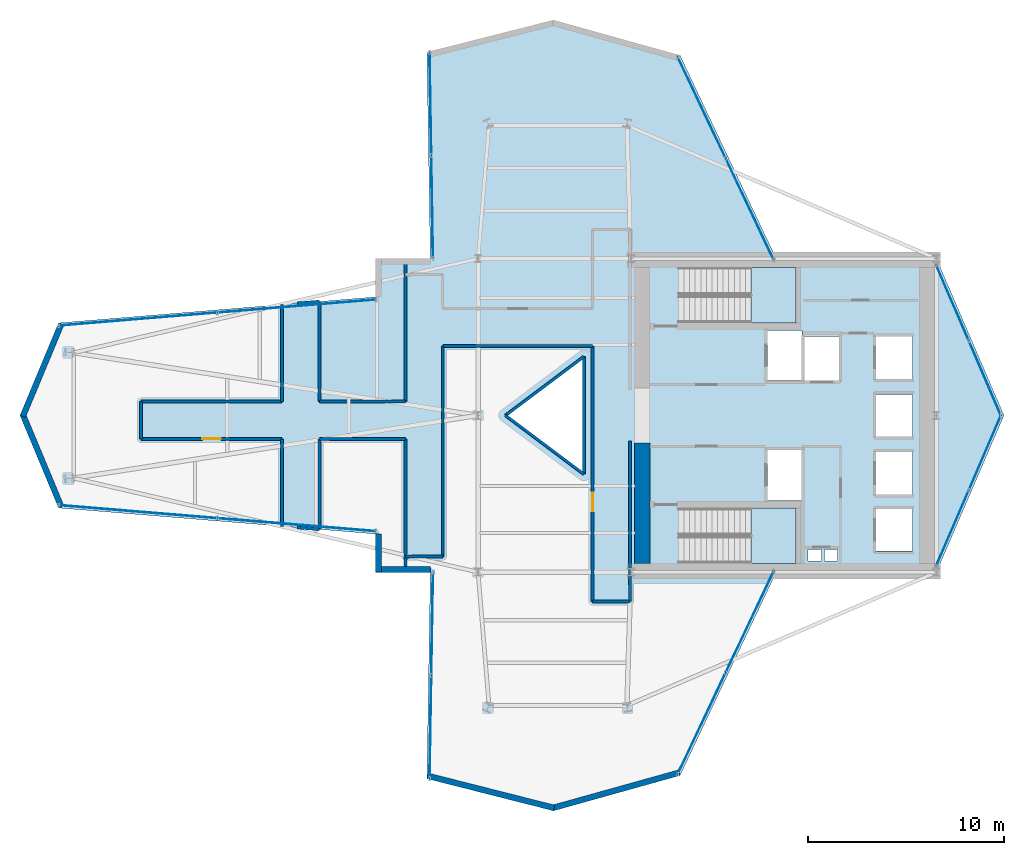
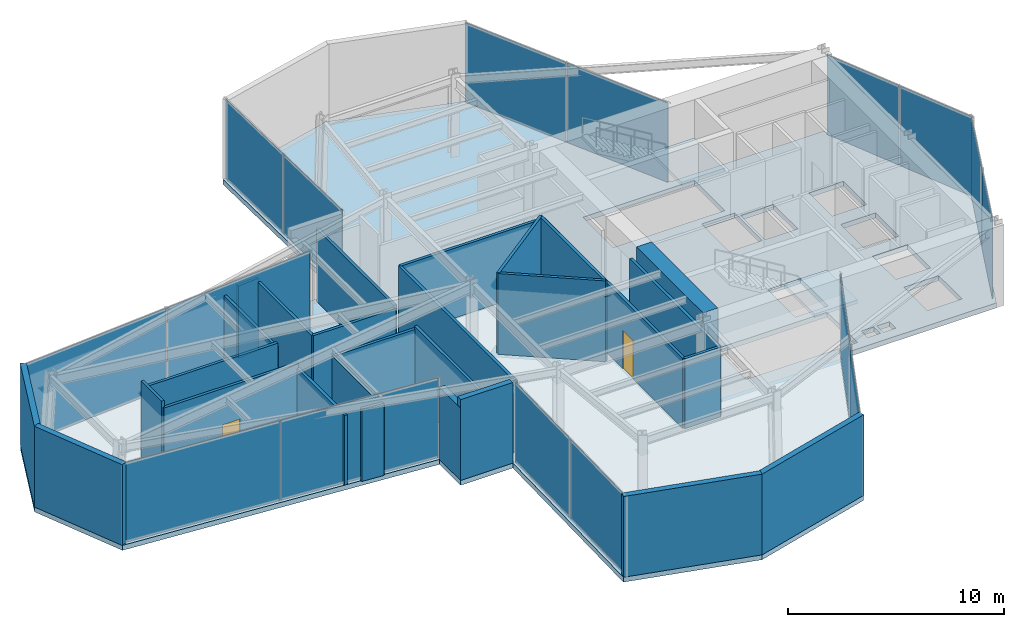
# One storey, part 9 of 13: 29 walls, 16 plates, 3 slabs, 2 doors, 2 openings, 10 elements without a shape of their own.
"""IFC4 building model written with IfcOpenShell, lengths in metres."""

from ifc_helpers import new_model, si_unit, direction, frame, frame_2d, origin, origin_2d, place, context, subcontext, project, spatial, polyline, rectangle, outline, extrude, material, layer, layer_set, type_object, element, fill, aggregate, save


model = new_model("IFC4")

# Units and contexts
model_context = context("Model", 3, precision=1e-05, world=origin(), true_north=direction((0.0, 1.0)))
body_context = subcontext(model_context, "Body", "Model", "MODEL_VIEW")
ifc_project = project(units=[si_unit("LENGTHUNIT", "METRE"), si_unit("AREAUNIT", "SQUARE_METRE"), si_unit("VOLUMEUNIT", "CUBIC_METRE"), si_unit("PLANEANGLEUNIT", "RADIAN"), si_unit("MASSUNIT", "GRAM", prefix="KILO")], contexts=[model_context])

# Site, building, storey
site_placement = place(None, origin())
site = spatial("IfcSite", under=ifc_project, at=site_placement, CompositionType="ELEMENT")
building_placement = place(site_placement, origin())
building = spatial("IfcBuilding", under=site, at=building_placement, Name="Veymaron Broadcast Tower", CompositionType="ELEMENT")
storey_placement = place(building_placement, frame((0.0, 0.0, 112.050048828125)))
storey = spatial("IfcBuildingStorey", under=building, at=storey_placement, Name="L25", CompositionType="ELEMENT", Elevation=112.050048828125)

# Curtain wall, plates
ifc_material_1 = material(Name="Anodised aluminium AA 6063-T6 and laminated low-E dark glass", Category="aluminium")
ifc_layer_1 = layer(ifc_material_1, 0.179931640625)
ifc_layer_set_1 = layer_set([ifc_layer_1], Name="Anodised aluminium AA 6063-T6 and laminated low-E dark glass")
curtain_wall_type = type_object("IfcCurtainWallType", Name="CW-SYS-04", PredefinedType="NOTDEFINED", material=ifc_layer_set_1)
curtain_wall_1_placement = place(storey_placement, origin())
curtain_wall_1 = element("IfcCurtainWall", 1, at=curtain_wall_1_placement, inside=storey, type_object=curtain_wall_type, Name="L25 dark-glass curtain wall CW-L25-E2-1", PredefinedType="NOTDEFINED")
ifc_material_2 = material(Name="Triple-laminated solar-control dark glass IGU 36 mm", Category="glass")
ifc_layer_2 = layer(ifc_material_2, 0.035888671875)
ifc_layer_set_2 = layer_set([ifc_layer_2], Name="Triple-laminated solar-control dark glass IGU 36 mm")
plate_type = type_object("IfcPlateType", Name="CW-PNL-01", PredefinedType="CURTAIN_PANEL", material=ifc_layer_set_2)
plate_1_placement = place(storey_placement, frame((55.413818359375, 18.244384765625, 0.0400390625), z_axis=(0.0, 0.0, 1.0), x_axis=(0.395417259401, 0.918501600961, 0.0)))
plate_1 = element("IfcPlate", 2, at=plate_1_placement, type_object=plate_type, Name="CW-L25-E2-1 unitised curtain panel 0", PredefinedType="CURTAIN_PANEL", context=body_context, shape_type="SweptSolid", body=[
    extrude(rectangle(XDim=4.15771484375, YDim=0.035888671875, at=origin_2d()), origin(), (0.0, 0.0, 1.0), 4.47998046875),
])
plate_2_placement = place(storey_placement, frame((57.08154296875, 22.118408203125, 0.0400390625), z_axis=(0.0, 0.0, 1.0), x_axis=(0.395417259401, 0.918501600961, 0.0)))
plate_2 = element("IfcPlate", 3, at=plate_2_placement, type_object=plate_type, Name="CW-L25-E2-1 unitised curtain panel 1", PredefinedType="CURTAIN_PANEL", context=body_context, shape_type="SweptSolid", body=[
    extrude(rectangle(XDim=4.15771484375, YDim=0.035888671875, at=origin_2d()), origin(), (0.0, 0.0, 1.0), 4.47998046875),
])
aggregate(curtain_wall_1, [plate_1, plate_2])

curtain_wall_2_placement = place(storey_placement, origin())
curtain_wall_2 = element("IfcCurtainWall", 4, at=curtain_wall_2_placement, inside=storey, type_object=curtain_wall_type, Name="L25 dark-glass curtain wall CW-L25-E3-1", PredefinedType="NOTDEFINED")
plate_3_placement = place(storey_placement, frame((57.08154296875, 25.881591796875, 0.0400390625), z_axis=(0.0, 0.0, 1.0), x_axis=(-0.395417259401, 0.918501600961, 0.0)))
plate_3 = element("IfcPlate", 5, at=plate_3_placement, type_object=plate_type, Name="CW-L25-E3-1 unitised curtain panel 0", PredefinedType="CURTAIN_PANEL", context=body_context, shape_type="SweptSolid", body=[
    extrude(rectangle(XDim=4.15771484375, YDim=0.035888671875, at=origin_2d()), origin(), (0.0, 0.0, 1.0), 4.47998046875),
])
plate_4_placement = place(storey_placement, frame((55.413818359375, 29.755615234375, 0.0400390625), z_axis=(0.0, 0.0, 1.0), x_axis=(-0.395417259401, 0.918501600961, 0.0)))
plate_4 = element("IfcPlate", 6, at=plate_4_placement, type_object=plate_type, Name="CW-L25-E3-1 unitised curtain panel 1", PredefinedType="CURTAIN_PANEL", context=body_context, shape_type="SweptSolid", body=[
    extrude(rectangle(XDim=4.15771484375, YDim=0.035888671875, at=origin_2d()), origin(), (0.0, 0.0, 1.0), 4.47998046875),
])
aggregate(curtain_wall_2, [plate_3, plate_4])

curtain_wall_3_placement = place(storey_placement, origin())
curtain_wall_3 = element("IfcCurtainWall", 7, at=curtain_wall_3_placement, inside=storey, type_object=curtain_wall_type, Name="L25 dark-glass curtain wall CW-L25-E5-1", PredefinedType="NOTDEFINED")
plate_5_placement = place(storey_placement, frame((45.068603515625, 34.531982421875, 0.0400390625), z_axis=(0.0, 0.0, 1.0), x_axis=(-0.427689198236, 0.903925854101, 0.0)))
plate_5 = element("IfcPlate", 8, at=plate_5_placement, type_object=plate_type, Name="CW-L25-E5-1 unitised curtain panel 0", PredefinedType="CURTAIN_PANEL", context=body_context, shape_type="SweptSolid", body=[
    extrude(rectangle(XDim=5.675048828125, YDim=0.035888671875, at=origin_2d()), origin(), (0.0, 0.0, 1.0), 4.47998046875),
])
plate_6_placement = place(storey_placement, frame((42.61572265625, 39.716064453125, 0.0400390625), z_axis=(0.0, 0.0, 1.0), x_axis=(-0.427689198236, 0.903925854101, 0.0)))
plate_6 = element("IfcPlate", 9, at=plate_6_placement, type_object=plate_type, Name="CW-L25-E5-1 unitised curtain panel 1", PredefinedType="CURTAIN_PANEL", context=body_context, shape_type="SweptSolid", body=[
    extrude(rectangle(XDim=5.675048828125, YDim=0.035888671875, at=origin_2d()), origin(), (0.0, 0.0, 1.0), 4.47998046875),
])
aggregate(curtain_wall_3, [plate_5, plate_6])

curtain_wall_4_placement = place(storey_placement, origin())
curtain_wall_4 = element("IfcCurtainWall", 10, at=curtain_wall_4_placement, inside=storey, type_object=curtain_wall_type, Name="L25 dark-glass curtain wall CW-L25-E8-1", PredefinedType="NOTDEFINED")
plate_7_placement = place(storey_placement, frame((28.771728515625, 39.9013671875, 0.0400390625), z_axis=(0.0, 0.0, 1.0), x_axis=(0.016579868188, -0.999862544538, 0.0)))
plate_7 = element("IfcPlate", 11, at=plate_7_placement, type_object=plate_type, Name="CW-L25-E8-1 unitised curtain panel 0", PredefinedType="CURTAIN_PANEL", context=body_context, shape_type="SweptSolid", body=[
    extrude(rectangle(XDim=5.206787109375, YDim=0.035888671875, at=origin_2d()), origin(), (0.0, 0.0, 1.0), 4.47998046875),
])
plate_8_placement = place(storey_placement, frame((28.85888671875, 34.63525390625, 0.0400390625), z_axis=(0.0, 0.0, 1.0), x_axis=(0.016579868188, -0.999862544538, 0.0)))
plate_8 = element("IfcPlate", 12, at=plate_8_placement, type_object=plate_type, Name="CW-L25-E8-1 unitised curtain panel 1", PredefinedType="CURTAIN_PANEL", context=body_context, shape_type="SweptSolid", body=[
    extrude(rectangle(XDim=5.206787109375, YDim=0.035888671875, at=origin_2d()), origin(), (0.0, 0.0, 1.0), 4.47998046875),
])
aggregate(curtain_wall_4, [plate_7, plate_8])

curtain_wall_5_placement = place(storey_placement, origin())
curtain_wall_5 = element("IfcCurtainWall", 13, at=curtain_wall_5_placement, inside=storey, type_object=curtain_wall_type, Name="L25 dark-glass curtain wall CW-L25-E11-1", PredefinedType="NOTDEFINED")
plate_9_placement = place(storey_placement, frame((21.943603515625, 29.579833984375, 0.0400390625), z_axis=(0.0, 0.0, 1.0), x_axis=(-0.996648817877, -0.081799351001, 0.0)))
plate_9 = element("IfcPlate", 14, at=plate_9_placement, type_object=plate_type, Name="CW-L25-E11-1 unitised curtain panel 0", PredefinedType="CURTAIN_PANEL", context=body_context, shape_type="SweptSolid", body=[
    extrude(rectangle(XDim=8.05517578125, YDim=0.035888671875, at=origin_2d()), origin(), (0.0, 0.0, 1.0), 4.47998046875),
])
plate_10_placement = place(storey_placement, frame((13.85546875, 28.916015625, 0.0400390625), z_axis=(0.0, 0.0, 1.0), x_axis=(-0.996648817877, -0.081799351001, 0.0)))
plate_10 = element("IfcPlate", 15, at=plate_10_placement, type_object=plate_type, Name="CW-L25-E11-1 unitised curtain panel 1", PredefinedType="CURTAIN_PANEL", context=body_context, shape_type="SweptSolid", body=[
    extrude(rectangle(XDim=8.05517578125, YDim=0.035888671875, at=origin_2d()), origin(), (0.0, 0.0, 1.0), 4.47998046875),
])
aggregate(curtain_wall_5, [plate_9, plate_10])

curtain_wall_6_placement = place(storey_placement, origin())
curtain_wall_6 = element("IfcCurtainWall", 16, at=curtain_wall_6_placement, inside=storey, type_object=curtain_wall_type, Name="L25 dark-glass curtain wall CW-L25-E14-1", PredefinedType="NOTDEFINED")
plate_11_placement = place(storey_placement, frame((13.85546875, 19.083984375, 0.0400390625), z_axis=(0.0, 0.0, 1.0), x_axis=(0.996648817877, -0.081799351001, 0.0)))
plate_11 = element("IfcPlate", 17, at=plate_11_placement, type_object=plate_type, Name="CW-L25-E14-1 unitised curtain panel 0", PredefinedType="CURTAIN_PANEL", context=body_context, shape_type="SweptSolid", body=[
    extrude(rectangle(XDim=8.05517578125, YDim=0.035888671875, at=origin_2d()), origin(), (0.0, 0.0, 1.0), 4.47998046875),
])
plate_12_placement = place(storey_placement, frame((21.943603515625, 18.420166015625, 0.0400390625), z_axis=(0.0, 0.0, 1.0), x_axis=(0.996648817877, -0.081799351001, 0.0)))
plate_12 = element("IfcPlate", 18, at=plate_12_placement, type_object=plate_type, Name="CW-L25-E14-1 unitised curtain panel 1", PredefinedType="CURTAIN_PANEL", context=body_context, shape_type="SweptSolid", body=[
    extrude(rectangle(XDim=8.05517578125, YDim=0.035888671875, at=origin_2d()), origin(), (0.0, 0.0, 1.0), 4.47998046875),
])
aggregate(curtain_wall_6, [plate_11, plate_12])

curtain_wall_7_placement = place(storey_placement, origin())
curtain_wall_7 = element("IfcCurtainWall", 19, at=curtain_wall_7_placement, inside=storey, type_object=curtain_wall_type, Name="L25 dark-glass curtain wall CW-L25-E17-1", PredefinedType="NOTDEFINED")
plate_13_placement = place(storey_placement, frame((28.85888671875, 13.36474609375, 0.0400390625), z_axis=(0.0, 0.0, 1.0), x_axis=(-0.016579868188, -0.999862544538, 0.0)))
plate_13 = element("IfcPlate", 20, at=plate_13_placement, type_object=plate_type, Name="CW-L25-E17-1 unitised curtain panel 0", PredefinedType="CURTAIN_PANEL", context=body_context, shape_type="SweptSolid", body=[
    extrude(rectangle(XDim=5.206787109375, YDim=0.035888671875, at=origin_2d()), origin(), (0.0, 0.0, 1.0), 4.47998046875),
])
plate_14_placement = place(storey_placement, frame((28.771728515625, 8.0986328125, 0.0400390625), z_axis=(0.0, 0.0, 1.0), x_axis=(-0.016579868188, -0.999862544538, 0.0)))
plate_14 = element("IfcPlate", 21, at=plate_14_placement, type_object=plate_type, Name="CW-L25-E17-1 unitised curtain panel 1", PredefinedType="CURTAIN_PANEL", context=body_context, shape_type="SweptSolid", body=[
    extrude(rectangle(XDim=5.206787109375, YDim=0.035888671875, at=origin_2d()), origin(), (0.0, 0.0, 1.0), 4.47998046875),
])
aggregate(curtain_wall_7, [plate_13, plate_14])

curtain_wall_8_placement = place(storey_placement, origin())
curtain_wall_8 = element("IfcCurtainWall", 22, at=curtain_wall_8_placement, inside=storey, type_object=curtain_wall_type, Name="L25 dark-glass curtain wall CW-L25-E20-1", PredefinedType="NOTDEFINED")
plate_15_placement = place(storey_placement, frame((42.61572265625, 8.283935546875, 0.0400390625), z_axis=(0.0, 0.0, 1.0), x_axis=(0.427689198236, 0.903925854101, 0.0)))
plate_15 = element("IfcPlate", 23, at=plate_15_placement, type_object=plate_type, Name="CW-L25-E20-1 unitised curtain panel 0", PredefinedType="CURTAIN_PANEL", context=body_context, shape_type="SweptSolid", body=[
    extrude(rectangle(XDim=5.675048828125, YDim=0.035888671875, at=origin_2d()), origin(), (0.0, 0.0, 1.0), 4.47998046875),
])
plate_16_placement = place(storey_placement, frame((45.068603515625, 13.468017578125, 0.0400390625), z_axis=(0.0, 0.0, 1.0), x_axis=(0.427689198236, 0.903925854101, 0.0)))
plate_16 = element("IfcPlate", 24, at=plate_16_placement, type_object=plate_type, Name="CW-L25-E20-1 unitised curtain panel 1", PredefinedType="CURTAIN_PANEL", context=body_context, shape_type="SweptSolid", body=[
    extrude(rectangle(XDim=5.675048828125, YDim=0.035888671875, at=origin_2d()), origin(), (0.0, 0.0, 1.0), 4.47998046875),
])
aggregate(curtain_wall_8, [plate_15, plate_16])

# Slab
ifc_material_3 = material(Name="Concrete C40/50", Category="concrete")
ifc_layer_3 = layer(ifc_material_3, 0.280029296875)
ifc_layer_set_3 = layer_set([ifc_layer_3], Name="Concrete C40/50")
slab_type_1 = type_object("IfcSlabType", Name="SLAB-FS3", PredefinedType="FLOOR", material=ifc_layer_set_3)
slab_1_placement = place(storey_placement, frame((0.0, 0.0, -0.280029296875)))
element("IfcSlab", 25, at=slab_1_placement, inside=storey, type_object=slab_type_1, Name="L25 structural floor slab", PredefinedType="FLOOR", context=body_context, shape_type="SweptSolid", body=[
    extrude(outline(polyline([(46.42138671875, 16.0), (54.60009765625, 16.0), (58.0439453125, 24.0), (54.60009765625, 32.0), (46.42138671875, 32.0), (41.51611328125, 42.367919921875), (35.052001953125, 44.172119140625), (28.587890625, 42.531982421875), (28.7626953125, 32.0), (25.97607421875, 32.0), (25.97607421875, 30.05126953125), (9.800048828125, 28.7236328125), (7.83203125, 24.0), (9.800048828125, 19.2763671875), (25.97607421875, 17.94873046875), (25.97607421875, 16.0), (28.7626953125, 16.0), (28.587890625, 5.468017578125), (35.052001953125, 3.827880859375), (41.51611328125, 5.632080078125), (46.42138671875, 16.0)]), holes=[polyline([(45.969970703125, 28.330078125), (47.72998046875, 28.330078125), (47.72998046875, 25.77001953125), (45.969970703125, 25.77001953125), (45.969970703125, 28.330078125)]), polyline([(45.969970703125, 22.22998046875), (47.72998046875, 22.22998046875), (47.72998046875, 19.669921875), (45.969970703125, 19.669921875), (45.969970703125, 22.22998046875)]), polyline([(47.8701171875, 28.030029296875), (49.6298828125, 28.030029296875), (49.6298828125, 25.77001953125), (47.8701171875, 25.77001953125), (47.8701171875, 28.030029296875)]), polyline([(51.52001953125, 28.030029296875), (53.3798828125, 28.030029296875), (53.3798828125, 25.8701171875), (51.52001953125, 25.8701171875), (51.52001953125, 28.030029296875)]), polyline([(51.52001953125, 22.1298828125), (53.3798828125, 22.1298828125), (53.3798828125, 19.969970703125), (51.52001953125, 19.969970703125), (51.52001953125, 22.1298828125)]), polyline([(51.52001953125, 25.080078125), (53.3798828125, 25.080078125), (53.3798828125, 22.919921875), (51.52001953125, 22.919921875), (51.52001953125, 25.080078125)]), polyline([(51.52001953125, 19.22998046875), (53.3798828125, 19.22998046875), (53.3798828125, 17.070068359375), (51.52001953125, 17.070068359375), (51.52001953125, 19.22998046875)]), polyline([(48.050048828125, 17.159912109375), (48.719970703125, 17.159912109375), (48.719970703125, 16.56005859375), (48.050048828125, 16.56005859375), (48.050048828125, 17.159912109375)]), polyline([(48.8798828125, 17.159912109375), (49.550048828125, 17.159912109375), (49.550048828125, 16.56005859375), (48.8798828125, 16.56005859375), (48.8798828125, 17.159912109375)]), polyline([(36.60009765625, 27.0), (36.60009765625, 21.0), (32.60009765625, 24.0), (36.60009765625, 27.0)]), polyline([(41.489990234375, 31.550048828125), (47.43994140625, 31.550048828125), (47.43994140625, 28.72998046875), (41.489990234375, 28.72998046875), (41.489990234375, 31.550048828125)]), polyline([(41.489990234375, 19.27001953125), (47.43994140625, 19.27001953125), (47.43994140625, 16.449951171875), (41.489990234375, 16.449951171875), (41.489990234375, 19.27001953125)])]), origin(), (0.0, 0.0, 1.0), 0.280029296875),
])

# Stair, slab
ifc_material_4 = material(Name="Concrete C50/60", Category="concrete")
stair_type_1 = type_object("IfcStairType", Name="STAIR-CORE-1", PredefinedType="HALF_TURN_STAIR", material=ifc_material_4)
stair_1_placement = place(storey_placement, origin())
stair_1 = element("IfcStair", 26, at=stair_1_placement, inside=storey, type_object=stair_type_1, Name="L25 North protected dog-leg exit stair ST1", PredefinedType="HALF_TURN_STAIR")
ifc_layer_4 = layer(ifc_material_4, 0.199951171875)
ifc_layer_set_4 = layer_set([ifc_layer_4], Name="Concrete C50/60")
slab_type_2 = type_object("IfcSlabType", Name="SLAB-STAIR-LDG", PredefinedType="LANDING", material=ifc_layer_set_4)
slab_2_placement = place(storey_placement, frame((0.0, 0.0, 2.199951171875)))
slab_2 = element("IfcSlab", 27, at=slab_2_placement, type_object=slab_type_2, Name="ST1 landing 1", PredefinedType="LANDING", context=body_context, shape_type="SweptSolid", body=[
    extrude(outline(polyline([(45.135009765625, 28.72998046875), (47.43994140625, 28.72998046875), (47.43994140625, 31.550048828125), (45.135009765625, 31.550048828125), (45.135009765625, 28.72998046875)])), origin(), (0.0, 0.0, 1.0), 0.199951171875),
])
aggregate(stair_1, [slab_2])

stair_type_2 = type_object("IfcStairType", Name="STAIR-CORE-2", PredefinedType="HALF_TURN_STAIR", material=ifc_material_4)
stair_2_placement = place(storey_placement, origin())
stair_2 = element("IfcStair", 28, at=stair_2_placement, inside=storey, type_object=stair_type_2, Name="L25 South protected dog-leg exit stair ST2", PredefinedType="HALF_TURN_STAIR")
slab_3_placement = place(storey_placement, frame((0.0, 0.0, 2.199951171875)))
slab_3 = element("IfcSlab", 29, at=slab_3_placement, type_object=slab_type_2, Name="ST2 landing 1", PredefinedType="LANDING", context=body_context, shape_type="SweptSolid", body=[
    extrude(outline(polyline([(45.135009765625, 16.449951171875), (47.43994140625, 16.449951171875), (47.43994140625, 19.27001953125), (45.135009765625, 19.27001953125), (45.135009765625, 16.449951171875)])), origin(), (0.0, 0.0, 1.0), 0.199951171875),
])
aggregate(stair_2, [slab_3])

# Walls
ifc_material_5 = material(Name="Precast concrete C40/50 with mineral-wool insulation", Category="concrete")
ifc_layer_5 = layer(ifc_material_5, 0.300048828125)
ifc_layer_set_5 = layer_set([ifc_layer_5], Name="Precast concrete C40/50 with mineral-wool insulation")
wall_type_1 = type_object("IfcWallType", Name="WALL-EXT-300", PredefinedType="STANDARD", material=ifc_layer_set_5)
for number, where, z_axis, x_axis, name in (
    (30, (9.92919921875, 28.669921875, 0.0), (0.0, 0.0, 1.0), (-0.384588283054, -0.923088214927, 0.0), "L25 notched corner facade pier 12-1"),
    (31, (7.961181640625, 24.0537109375, 0.0), (0.0, 0.0, 1.0), (0.384588283054, -0.923088214927, 0.0), "L25 notched corner facade pier 13-1"),
):
    element("IfcWall", number, at=place(storey_placement, frame(where, z_axis=z_axis, x_axis=x_axis)), inside=storey, type_object=wall_type_1, Name=name, PredefinedType="STANDARD", context=body_context, shape_type="SweptSolid", body=[
        extrude(rectangle(XDim=5.1171875, YDim=0.300048828125, at=frame_2d((2.55859375, 0.0))), origin(), (0.0, 0.0, 1.0), 4.56005859375),
    ])
wall_1_placement = place(storey_placement, frame((26.115966796875, 17.94873046875, 0.0), z_axis=(0.0, 0.0, 1.0), x_axis=(0.0, -1.0, 0.0)))
element("IfcWall", 32, at=wall_1_placement, inside=storey, type_object=wall_type_1, Name="L25 notched corner facade pier 15-1", PredefinedType="STANDARD", context=body_context, shape_type="SweptSolid", body=[
    extrude(rectangle(XDim=1.94873046875, YDim=0.300048828125, at=frame_2d((0.974365234375, 0.0))), origin(), (0.0, 0.0, 1.0), 4.087890625),
])
wall_2_placement = place(storey_placement, frame((25.97607421875, 16.139892578125, 0.0), z_axis=(0.0, 0.0, 1.0), x_axis=(1.0, 0.0, 0.0)))
element("IfcWall", 33, at=wall_2_placement, inside=storey, type_object=wall_type_1, Name="L25 notched corner facade pier 16-1", PredefinedType="STANDARD", context=body_context, shape_type="SweptSolid", body=[
    extrude(rectangle(XDim=2.78662109375, YDim=0.300048828125, at=frame_2d((1.393310546875, 0.0))), origin(), (0.0, 0.0, 1.0), 4.56005859375),
])
wall_3_placement = place(storey_placement, frame((28.622314453125, 5.603759765625, 0.0), z_axis=(0.0, 0.0, 1.0), x_axis=(0.969285922057, -0.245936579838, 0.0)))
element("IfcWall", 34, at=wall_3_placement, inside=storey, type_object=wall_type_1, Name="L25 notched corner facade pier 18-1", PredefinedType="STANDARD", context=body_context, shape_type="SweptSolid", body=[
    extrude(rectangle(XDim=6.6689453125, YDim=0.300048828125, at=frame_2d((3.33447265625, 0.0))), origin(), (0.0, 0.0, 1.0), 4.56005859375),
])
wall_4_placement = place(storey_placement, frame((35.014404296875, 3.962890625, 0.0), z_axis=(0.0, 0.0, 1.0), x_axis=(0.963195644216, 0.268801322473, 0.0)))
element("IfcWall", 35, at=wall_4_placement, inside=storey, type_object=wall_type_1, Name="L25 notched corner facade pier 19-1", PredefinedType="STANDARD", context=body_context, shape_type="SweptSolid", body=[
    extrude(rectangle(XDim=6.711181640625, YDim=0.300048828125, at=frame_2d((3.35546875, 0.0))), origin(), (0.0, 0.0, 1.0), 4.56005859375),
])

# Wall, opening, door
ifc_material_6 = material(Name="Gypsum fireboard and steel stud framing", Category="steel")
ifc_layer_6 = layer(ifc_material_6, 0.14990234375)
ifc_layer_set_6 = layer_set([ifc_layer_6], Name="Gypsum fireboard and steel stud framing")
wall_type_2 = type_object("IfcWallType", Name="WALL-FIRE-150", PredefinedType="PARTITIONING", material=ifc_layer_set_6)
wall_5_placement = place(storey_placement, frame((37.050048828125, 14.5, 0.0), z_axis=(0.0, 0.0, 1.0), x_axis=(0.0, 1.0, 0.0)))
wall_5 = element("IfcWall", 36, at=wall_5_placement, inside=storey, type_object=wall_type_2, Name="L25 partition IW-L25-P01", PredefinedType="PARTITIONING", context=body_context, shape_type="SweptSolid", body=[
    extrude(rectangle(XDim=13.050048828125, YDim=0.14990234375, at=frame_2d((6.52490234375, 0.0))), origin(), (0.0, 0.0, 1.0), 3.93994140625),
])
opening_1_placement = place(wall_5_placement, frame((4.610107421875, 0.0, 0.0)))
opening_1 = element("IfcOpeningElement", 37, at=opening_1_placement, cuts=wall_5, Name="Opening ID-RM1", PredefinedType="OPENING", context=body_context, shape_type="SweptSolid", body=[
    extrude(rectangle(XDim=0.949951171875, YDim=2.14990234375, at=frame_2d((0.47509765625, 1.074951171875))), frame((0.0, 0.0849609375, 0.0), z_axis=(0.0, -1.0, 0.0), x_axis=(1.0, 0.0, 0.0)), (0.0, 0.0, 1.0), 0.169921875),
])
ifc_material_7 = material(Name="Acoustic solid-core European oak veneer timber", Category="wood")
door_type = type_object("IfcDoorType", Name="DOOR-INT-950", OperationType="NOTDEFINED", PredefinedType="DOOR", material=ifc_material_7)
door_1_placement = place(opening_1_placement, frame((0.949951171875, 0.0, 0.0), z_axis=(0.0, 0.0, 1.0), x_axis=(-1.0, 0.0, 0.0)))
door_1 = element("IfcDoor", 38, at=door_1_placement, inside=storey, type_object=door_type, Name="L25 door DR-L25-P01", OperationType="SINGLE_SWING_RIGHT", OverallHeight=2.14990234375, OverallWidth=0.949951171875, PredefinedType="DOOR", context=body_context, shape_type="SweptSolid", body=[
    extrude(rectangle(XDim=0.949951171875, YDim=2.14990234375, at=frame_2d((0.47509765625, 1.074951171875))), frame((0.0, 0.02490234375, 0.0), z_axis=(0.0, -1.0, 0.0), x_axis=(1.0, 0.0, 0.0)), (0.0, 0.0, 1.0), 0.050048828125),
])
fill(opening_1, door_1)

wall_6_placement = place(storey_placement, frame((14.0, 22.800048828125, 0.0), z_axis=(0.0, 0.0, 1.0), x_axis=(1.0, 0.0, 0.0)))
wall_6 = element("IfcWall", 39, at=wall_6_placement, inside=storey, type_object=wall_type_2, Name="L25 partition IW-L25-P11", PredefinedType="PARTITIONING", context=body_context, shape_type="SweptSolid", body=[
    extrude(rectangle(XDim=7.199951171875, YDim=0.14990234375, at=frame_2d((3.60009765625, 0.0))), origin(), (0.0, 0.0, 1.0), 4.19287109375),
])
opening_2_placement = place(wall_6_placement, frame((3.125, 0.0, 0.0)))
opening_2 = element("IfcOpeningElement", 40, at=opening_2_placement, cuts=wall_6, Name="Opening ID-RM1", PredefinedType="OPENING", context=body_context, shape_type="SweptSolid", body=[
    extrude(rectangle(XDim=0.949951171875, YDim=2.14990234375, at=frame_2d((0.47509765625, 1.074951171875))), frame((0.0, 0.0849609375, 0.0), z_axis=(0.0, -1.0, 0.0), x_axis=(1.0, 0.0, 0.0)), (0.0, 0.0, 1.0), 0.169921875),
])
door_2_placement = place(opening_2_placement, frame((0.949951171875, 0.0, 0.0), z_axis=(0.0, 0.0, 1.0), x_axis=(-1.0, 0.0, 0.0)))
door_2 = element("IfcDoor", 41, at=door_2_placement, inside=storey, type_object=door_type, Name="L25 door DR-L25-P11", OperationType="SINGLE_SWING_RIGHT", OverallHeight=2.14990234375, OverallWidth=0.949951171875, PredefinedType="DOOR", context=body_context, shape_type="SweptSolid", body=[
    extrude(rectangle(XDim=0.949951171875, YDim=2.14990234375, at=frame_2d((0.47509765625, 1.074951171875))), frame((0.0, 0.02490234375, 0.0), z_axis=(0.0, -1.0, 0.0), x_axis=(1.0, 0.0, 0.0)), (0.0, 0.0, 1.0), 0.050048828125),
])
fill(opening_2, door_2)

# Walls
wall_7_placement = place(storey_placement, frame((29.39990234375, 16.800048828125, 0.0), z_axis=(0.0, 0.0, 1.0), x_axis=(0.0, 1.0, 0.0)))
element("IfcWall", 42, at=wall_7_placement, inside=storey, type_object=wall_type_2, Name="L25 partition IW-L25-P02", PredefinedType="PARTITIONING", context=body_context, shape_type="SweptSolid", body=[
    extrude(rectangle(XDim=10.75, YDim=0.14990234375, at=frame_2d((5.375, 0.0))), origin(), (0.0, 0.0, 1.0), 3.93994140625),
])
wall_8_placement = place(storey_placement, frame((38.949951171875, 14.5, 0.0), z_axis=(0.0, 0.0, 1.0), x_axis=(0.0, 1.0, 0.0)))
element("IfcWall", 43, at=wall_8_placement, inside=storey, type_object=wall_type_2, Name="L25 partition IW-L25-P03", PredefinedType="PARTITIONING", context=body_context, shape_type="SweptSolid", body=[
    extrude(rectangle(XDim=8.199951171875, YDim=0.14990234375, at=frame_2d((4.10009765625, 0.0))), origin(), (0.0, 0.0, 1.0), 3.93994140625),
])
wall_9_placement = place(storey_placement, frame((29.39990234375, 27.550048828125, 0.0), z_axis=(0.0, 0.0, 1.0), x_axis=(1.0, 0.0, 0.0)))
element("IfcWall", 44, at=wall_9_placement, inside=storey, type_object=wall_type_2, Name="L25 partition IW-L25-P04", PredefinedType="PARTITIONING", context=body_context, shape_type="SweptSolid", body=[
    extrude(rectangle(XDim=7.650146484375, YDim=0.14990234375, at=frame_2d((3.8251953125, 0.0))), origin(), (0.0, 0.0, 1.0), 3.93994140625),
])
wall_10_placement = place(storey_placement, frame((27.5, 16.139892578125, 0.0), z_axis=(0.0, 0.0, 1.0), x_axis=(0.0, 1.0, 0.0)))
element("IfcWall", 45, at=wall_10_placement, inside=storey, type_object=wall_type_2, Name="L25 partition IW-L25-P05", PredefinedType="PARTITIONING", context=body_context, shape_type="SweptSolid", body=[
    extrude(rectangle(XDim=6.66015625, YDim=0.14990234375, at=frame_2d((3.330078125, 0.0))), origin(), (0.0, 0.0, 1.0), 4.087890625),
])
wall_11_placement = place(storey_placement, frame((23.10009765625, 18.184814453125, 0.0), z_axis=(0.0, 0.0, 1.0), x_axis=(0.0, 1.0, 0.0)))
element("IfcWall", 46, at=wall_11_placement, inside=storey, type_object=wall_type_2, Name="L25 partition IW-L25-P06", PredefinedType="PARTITIONING", context=body_context, shape_type="SweptSolid", body=[
    extrude(rectangle(XDim=4.615234375, YDim=0.14990234375, at=frame_2d((2.3076171875, 0.0))), origin(), (0.0, 0.0, 1.0), 3.93994140625),
])
wall_12_placement = place(storey_placement, frame((23.10009765625, 22.800048828125, 0.0), z_axis=(0.0, 0.0, 1.0), x_axis=(1.0, 0.0, 0.0)))
element("IfcWall", 47, at=wall_12_placement, inside=storey, type_object=wall_type_2, Name="L25 partition IW-L25-P07", PredefinedType="PARTITIONING", context=body_context, shape_type="SweptSolid", body=[
    extrude(rectangle(XDim=4.39990234375, YDim=0.14990234375, at=frame_2d((2.199951171875, 0.0))), origin(), (0.0, 0.0, 1.0), 3.93994140625),
])
wall_13_placement = place(storey_placement, frame((37.050048828125, 14.5, 0.0), z_axis=(0.0, 0.0, 1.0), x_axis=(1.0, 0.0, 0.0)))
element("IfcWall", 48, at=wall_13_placement, inside=storey, type_object=wall_type_2, Name="L25 partition IW-L25-P08", PredefinedType="PARTITIONING", context=body_context, shape_type="SweptSolid", body=[
    extrude(rectangle(XDim=1.89990234375, YDim=0.14990234375, at=frame_2d((0.949951171875, 0.0))), origin(), (0.0, 0.0, 1.0), 3.93994140625),
])
wall_14_placement = place(storey_placement, frame((27.5, 16.800048828125, 0.0), z_axis=(0.0, 0.0, 1.0), x_axis=(1.0, 0.0, 0.0)))
element("IfcWall", 49, at=wall_14_placement, inside=storey, type_object=wall_type_2, Name="L25 partition IW-L25-P09", PredefinedType="PARTITIONING", context=body_context, shape_type="SweptSolid", body=[
    extrude(rectangle(XDim=1.89990234375, YDim=0.14990234375, at=frame_2d((0.949951171875, 0.0))), origin(), (0.0, 0.0, 1.0), 4.087890625),
])
wall_15_placement = place(storey_placement, frame((21.972900390625, 18.277099609375, 0.0), z_axis=(0.0, 0.0, 1.0), x_axis=(0.996665296281, -0.08159832835, 0.0)))
element("IfcWall", 50, at=wall_15_placement, inside=storey, type_object=wall_type_2, Name="L25 partition IW-L25-P10", PredefinedType="PARTITIONING", context=body_context, shape_type="SweptSolid", body=[
    extrude(rectangle(XDim=1.130859375, YDim=0.14990234375, at=frame_2d((0.5654296875, 0.0))), origin(), (0.0, 0.0, 1.0), 4.087890625),
])
wall_16_placement = place(storey_placement, frame((14.0, 24.699951171875, 0.0), z_axis=(0.0, 0.0, 1.0), x_axis=(1.0, 0.0, 0.0)))
element("IfcWall", 51, at=wall_16_placement, inside=storey, type_object=wall_type_2, Name="L25 partition IW-L25-P12", PredefinedType="PARTITIONING", context=body_context, shape_type="SweptSolid", body=[
    extrude(rectangle(XDim=7.199951171875, YDim=0.14990234375, at=frame_2d((3.60009765625, 0.0))), origin(), (0.0, 0.0, 1.0), 4.19287109375),
])
wall_17_placement = place(storey_placement, frame((21.199951171875, 24.699951171875, 0.0), z_axis=(0.0, 0.0, 1.0), x_axis=(0.0, 1.0, 0.0)))
element("IfcWall", 52, at=wall_17_placement, inside=storey, type_object=wall_type_2, Name="L25 partition IW-L25-P13", PredefinedType="PARTITIONING", context=body_context, shape_type="SweptSolid", body=[
    extrude(rectangle(XDim=4.959228515625, YDim=0.14990234375, at=frame_2d((2.4794921875, 0.0))), origin(), (0.0, 0.0, 1.0), 3.93994140625),
])
wall_18_placement = place(storey_placement, frame((21.199951171875, 18.3408203125, 0.0), z_axis=(0.0, 0.0, 1.0), x_axis=(0.0, 1.0, 0.0)))
element("IfcWall", 53, at=wall_18_placement, inside=storey, type_object=wall_type_2, Name="L25 partition IW-L25-P14", PredefinedType="PARTITIONING", context=body_context, shape_type="SweptSolid", body=[
    extrude(rectangle(XDim=4.459228515625, YDim=0.14990234375, at=frame_2d((2.2294921875, 0.0))), origin(), (0.0, 0.0, 1.0), 3.93994140625),
])
wall_19_placement = place(storey_placement, frame((14.0, 22.800048828125, 0.0), z_axis=(0.0, 0.0, 1.0), x_axis=(0.0, 1.0, 0.0)))
element("IfcWall", 54, at=wall_19_placement, inside=storey, type_object=wall_type_2, Name="L25 partition IW-L25-P15", PredefinedType="PARTITIONING", context=body_context, shape_type="SweptSolid", body=[
    extrude(rectangle(XDim=1.89990234375, YDim=0.14990234375, at=frame_2d((0.949951171875, 0.0))), origin(), (0.0, 0.0, 1.0), 4.56005859375),
])
wall_20_placement = place(storey_placement, frame((27.5, 24.699951171875, 0.0), z_axis=(0.0, 0.0, 1.0), x_axis=(0.0, 1.0, 0.0)))
element("IfcWall", 55, at=wall_20_placement, inside=storey, type_object=wall_type_2, Name="L25 partition IW-L25-P18", PredefinedType="PARTITIONING", context=body_context, shape_type="SweptSolid", body=[
    extrude(rectangle(XDim=7.16015625, YDim=0.14990234375, at=frame_2d((3.580078125, 0.0))), origin(), (0.0, 0.0, 1.0), 4.087890625),
])
wall_21_placement = place(storey_placement, frame((23.10009765625, 24.699951171875, 0.0), z_axis=(0.0, 0.0, 1.0), x_axis=(0.0, 1.0, 0.0)))
element("IfcWall", 56, at=wall_21_placement, inside=storey, type_object=wall_type_2, Name="L25 partition IW-L25-P19", PredefinedType="PARTITIONING", context=body_context, shape_type="SweptSolid", body=[
    extrude(rectangle(XDim=5.115234375, YDim=0.14990234375, at=frame_2d((2.5576171875, 0.0))), origin(), (0.0, 0.0, 1.0), 3.93994140625),
])
wall_22_placement = place(storey_placement, frame((23.10009765625, 24.699951171875, 0.0), z_axis=(0.0, 0.0, 1.0), x_axis=(1.0, 0.0, 0.0)))
element("IfcWall", 57, at=wall_22_placement, inside=storey, type_object=wall_type_2, Name="L25 partition IW-L25-P20", PredefinedType="PARTITIONING", context=body_context, shape_type="SweptSolid", body=[
    extrude(rectangle(XDim=4.39990234375, YDim=0.14990234375, at=frame_2d((2.199951171875, 0.0))), origin(), (0.0, 0.0, 1.0), 3.93994140625),
])
wall_23_placement = place(storey_placement, frame((21.972900390625, 29.722900390625, 0.0), z_axis=(0.0, 0.0, 1.0), x_axis=(0.996665296281, 0.08159832835, 0.0)))
element("IfcWall", 58, at=wall_23_placement, inside=storey, type_object=wall_type_2, Name="L25 partition IW-L25-P25", PredefinedType="PARTITIONING", context=body_context, shape_type="SweptSolid", body=[
    extrude(rectangle(XDim=1.130859375, YDim=0.14990234375, at=frame_2d((0.5654296875, 0.0))), origin(), (0.0, 0.0, 1.0), 4.087890625),
])
ifc_material_8 = material(Name="Fire-rated laminated glass in aluminium frame", Category="aluminium")
ifc_layer_7 = layer(ifc_material_8, 0.14990234375)
ifc_layer_set_7 = layer_set([ifc_layer_7], Name="Fire-rated laminated glass in aluminium frame")
wall_type_3 = type_object("IfcWallType", Name="WALL-GLZ-150", PredefinedType="MOVABLE", material=ifc_layer_set_7)
wall_24_placement = place(storey_placement, frame((32.60009765625, 24.0, 0.0), z_axis=(0.0, 0.0, 1.0), x_axis=(0.8, -0.6, 0.0)))
element("IfcWall", 59, at=wall_24_placement, inside=storey, type_object=wall_type_3, Name="L25 partition IW-L25-ATR1", PredefinedType="MOVABLE", context=body_context, shape_type="SweptSolid", body=[
    extrude(rectangle(XDim=5.0, YDim=0.14990234375, at=frame_2d((2.5, 0.0))), origin(), (0.0, 0.0, 1.0), 4.56005859375),
])
wall_25_placement = place(storey_placement, frame((36.60009765625, 21.0, 0.0), z_axis=(0.0, 0.0, 1.0), x_axis=(0.0, 1.0, 0.0)))
element("IfcWall", 60, at=wall_25_placement, inside=storey, type_object=wall_type_3, Name="L25 partition IW-L25-ATR2", PredefinedType="MOVABLE", context=body_context, shape_type="SweptSolid", body=[
    extrude(rectangle(XDim=6.0, YDim=0.14990234375, at=frame_2d((3.0, 0.0))), origin(), (0.0, 0.0, 1.0), 4.56005859375),
])
wall_26_placement = place(storey_placement, frame((36.60009765625, 27.0, 0.0), z_axis=(0.0, 0.0, 1.0), x_axis=(-0.8, -0.6, 0.0)))
element("IfcWall", 61, at=wall_26_placement, inside=storey, type_object=wall_type_3, Name="L25 partition IW-L25-ATR3", PredefinedType="MOVABLE", context=body_context, shape_type="SweptSolid", body=[
    extrude(rectangle(XDim=5.0, YDim=0.14990234375, at=frame_2d((2.5, 0.0))), origin(), (0.0, 0.0, 1.0), 4.56005859375),
])
ifc_material_9 = material(Name="Concrete C60/75", Category="concrete")
ifc_layer_8 = layer(ifc_material_9, 0.800048828125)
ifc_layer_set_8 = layer_set([ifc_layer_8], Name="Concrete C60/75")
wall_type_4 = type_object("IfcWallType", Name="WALL-SHEAR-800", PredefinedType="SHEAR", material=ifc_layer_set_8)
wall_27_placement = place(storey_placement, frame((39.580078125, 16.449951171875, 0.0), z_axis=(0.0, 0.0, 1.0), x_axis=(0.0, 1.0, 0.0)))
element("IfcWall", 62, at=wall_27_placement, inside=storey, type_object=wall_type_4, Name="L25 Core Wall west-south shear", PredefinedType="SHEAR", context=body_context, shape_type="SweptSolid", body=[
    extrude(rectangle(XDim=6.150146484375, YDim=0.800048828125, at=frame_2d((3.0751953125, 0.0))), origin(), (0.0, 0.0, 1.0), 4.56005859375),
])

save(model, "model.ifc")
